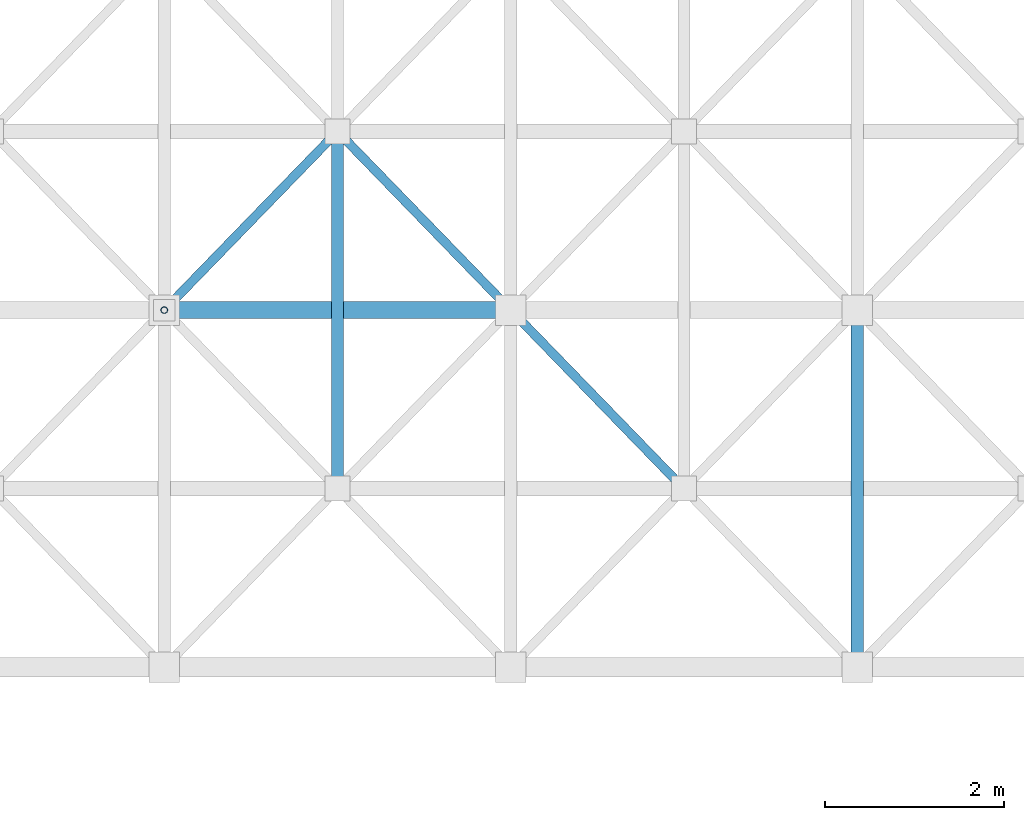
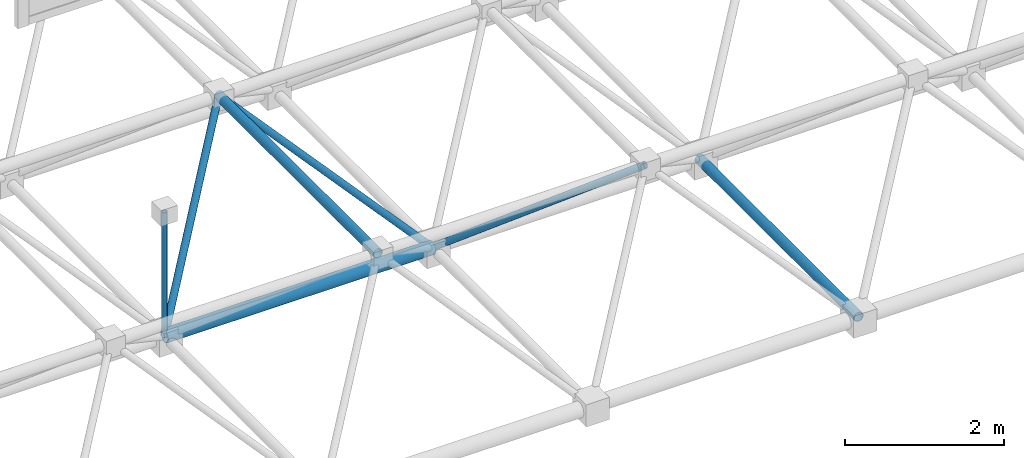
# One storey, part 50 of 195: 7 members.
"""IFC4 building model written with IfcOpenShell, lengths in metres."""

from ifc_helpers import new_model, si_unit, direction, frame, origin, origin_2d, place, context, subcontext, project, spatial, hollow_circle, extrude, material, material_profile, profile_set, type_object, element, save


model = new_model("IFC4")

# Units and contexts
model_context = context("Model", 3, precision=1e-05, world=origin(), true_north=direction((0.0, 1.0)))
body_context = subcontext(model_context, "Body", "Model", "MODEL_VIEW")
ifc_project = project(units=[si_unit("LENGTHUNIT", "METRE"), si_unit("AREAUNIT", "SQUARE_METRE"), si_unit("VOLUMEUNIT", "CUBIC_METRE"), si_unit("PLANEANGLEUNIT", "RADIAN"), si_unit("MASSUNIT", "GRAM", prefix="KILO")], contexts=[model_context])

# Site, building, storey
site_placement = place(None, origin())
site = spatial("IfcSite", under=ifc_project, at=site_placement, CompositionType="ELEMENT")
building_placement = place(site_placement, origin())
building = spatial("IfcBuilding", under=site, at=building_placement, Name="Kharva Crest Polytechnic", CompositionType="ELEMENT")
storey_placement = place(building_placement, frame((0.0, 0.0, 9.0)))
storey = spatial("IfcBuildingStorey", under=building, at=storey_placement, Name="L02", CompositionType="ELEMENT", Elevation=9.0)

# Members
ifc_material = material(Name="Steel S355", Category="steel")
ifc_material_profile_1 = material_profile(ifc_material, hollow_circle(Radius=0.05078125, WallThickness=0.0048828125, at=origin_2d()), Name="CHS 101.6X5.0")
ifc_profile_set_1 = profile_set([ifc_material_profile_1], Name="Steel S355")
member_type_1 = type_object("IfcMemberType", Name="MEM-CHS101", PredefinedType="BRACE", material=ifc_profile_set_1)
for number, where, z_axis, x_axis, name in (
    (1, (16.0, 42.800048828125, 0.60009765625), (0.584843378742, 0.602949529154, 0.542595694449), (-0.717802189577, 0.696247094528, 0.0), "Space Frame Web Diagonal 677"),
    (2, (19.8798828125, 42.800048828125, 0.60009765625), (-0.584843378742, 0.602949529154, 0.542595694449), (-0.717802189577, -0.696247094528, 0.0), "Space Frame Web Diagonal 678"),
    (3, (19.8798828125, 42.800048828125, 0.60009765625), (0.584891802813, -0.602923574763, 0.542572338032), (0.717758400015, 0.696292236929, 0.0), "Space Frame Web Diagonal 731"),
):
    element("IfcMember", number, at=place(storey_placement, frame(where, z_axis=z_axis, x_axis=x_axis)), inside=storey, type_object=member_type_1, Name=name, PredefinedType="BRACE", context=body_context, shape_type="SweptSolid", body=[
        extrude(hollow_circle(Radius=0.05078125, WallThickness=0.0048828125, at=origin_2d()), origin(), (0.0, 0.0, 1.0), 3.317138671875),
    ])
ifc_material_profile_2 = material_profile(ifc_material, hollow_circle(Radius=0.06982421875, WallThickness=0.00634765625, at=origin_2d()), Name="CHS 139.7X6.3")
ifc_profile_set_2 = profile_set([ifc_material_profile_2], Name="Steel S355")
member_type_2 = type_object("IfcMemberType", Name="MEM-CHS139", PredefinedType="CHORD", material=ifc_profile_set_2)
for number, where, z_axis, x_axis, name in (
    (4, (23.760009765625, 38.800048828125, 0.60009765625), (0.0, 1.0, 0.0), (-1.0, 0.0, 0.0), "Space Frame Bottom Chord Y 205"),
    (5, (17.93994140625, 40.800048828125, 2.39990234375), (0.0, 1.0, 0.0), (-1.0, 0.0, 0.0), "Space Frame Top Chord Y 397"),
):
    element("IfcMember", number, at=place(storey_placement, frame(where, z_axis=z_axis, x_axis=x_axis)), inside=storey, type_object=member_type_2, Name=name, PredefinedType="CHORD", context=body_context, shape_type="SweptSolid", body=[
        extrude(hollow_circle(Radius=0.06982421875, WallThickness=0.00634765625, at=origin_2d()), origin(), (0.0, 0.0, 1.0), 4.0),
    ])
ifc_material_profile_3 = material_profile(ifc_material, hollow_circle(Radius=0.096923828125, WallThickness=0.008056640625, at=origin_2d()), Name="CHS 193.7X8.0")
ifc_profile_set_3 = profile_set([ifc_material_profile_3], Name="Steel S355")
member_type_3 = type_object("IfcMemberType", Name="MEM-CHS193", PredefinedType="CHORD", material=ifc_profile_set_3)
member_1_placement = place(storey_placement, frame((16.0, 42.800048828125, 0.60009765625), z_axis=(1.0, 0.0, 0.0), x_axis=(0.0, 1.0, 0.0)))
element("IfcMember", 6, at=member_1_placement, inside=storey, type_object=member_type_3, Name="Space Frame Bottom Chord X 13", PredefinedType="CHORD", context=body_context, shape_type="SweptSolid", body=[
    extrude(hollow_circle(Radius=0.096923828125, WallThickness=0.008056640625, at=origin_2d()), origin(), (0.0, 0.0, 1.0), 3.8798828125),
])
ifc_material_profile_4 = material_profile(ifc_material, hollow_circle(Radius=0.0380859375, WallThickness=0.00390625, at=origin_2d()), Name="CHS 76.1X4.0")
ifc_profile_set_4 = profile_set([ifc_material_profile_4], Name="Steel S355")
member_type_4 = type_object("IfcMemberType", Name="MEM-CHS76-ST", PredefinedType="STRUT", material=ifc_profile_set_4)
member_2_placement = place(storey_placement, frame((16.0, 42.800048828125, 0.60009765625), z_axis=(0.0, 0.0, 1.0), x_axis=(1.0, 0.0, 0.0)))
element("IfcMember", 7, at=member_2_placement, inside=storey, type_object=member_type_4, Name="Space Frame Ridge Strut 1", PredefinedType="STRUT", context=body_context, shape_type="SweptSolid", body=[
    extrude(hollow_circle(Radius=0.0380859375, WallThickness=0.00390625, at=origin_2d()), origin(), (0.0, 0.0, 1.0), 1.911865234375),
])

save(model, "model.ifc")
